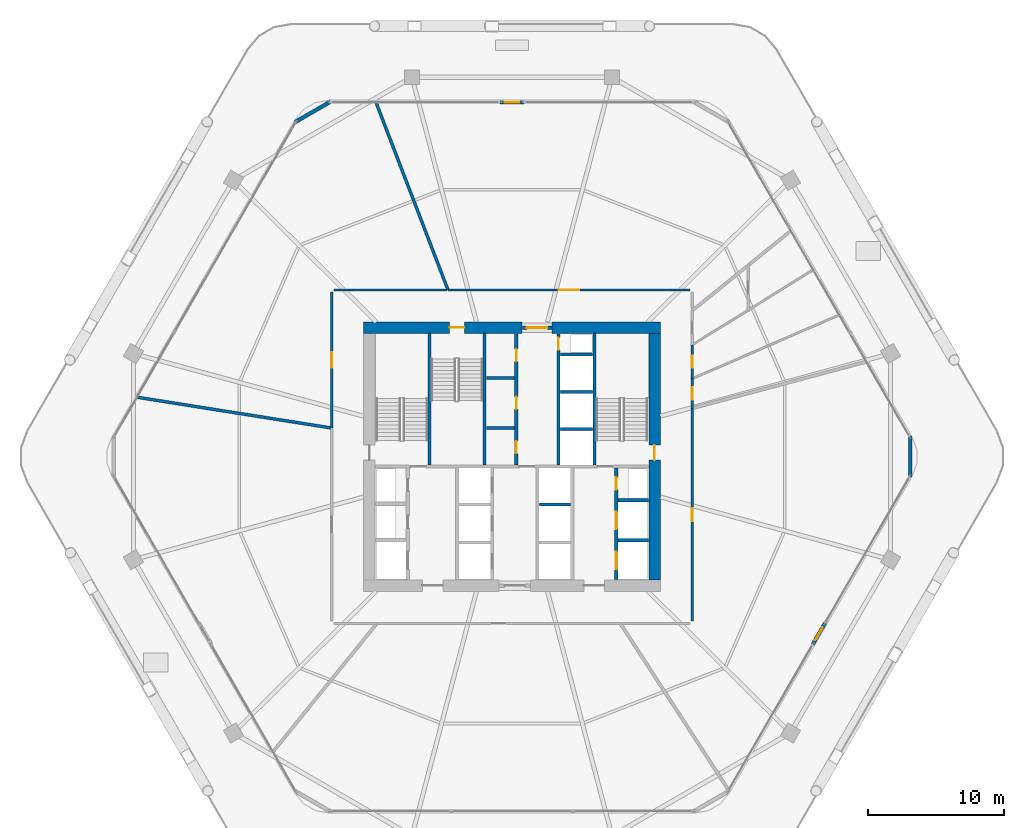
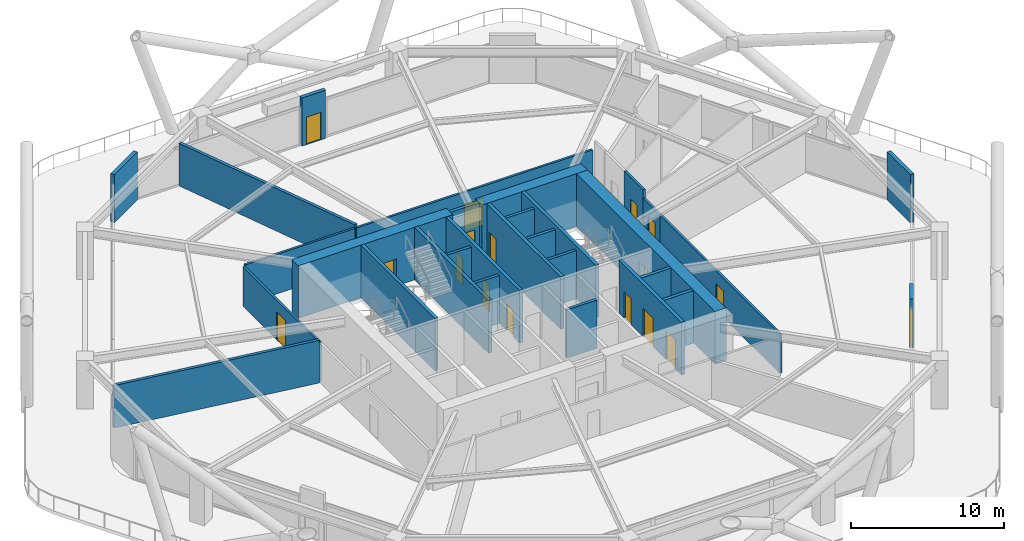
# One storey, part 24 of 28: 30 walls, 17 doors, 17 openings.
"""IFC4 building model written with IfcOpenShell, lengths in metres."""

from ifc_helpers import new_model, si_unit, direction, frame, frame_2d, origin, place, context, subcontext, project, spatial, rectangle, extrude, material, layer, layer_set, type_object, element, fill, save


model = new_model("IFC4")

# Units and contexts
model_context = context("Model", 3, precision=1e-05, world=origin(), true_north=direction((0.0, 1.0)))
body_context = subcontext(model_context, "Body", "Model", "MODEL_VIEW")
ifc_project = project(units=[si_unit("LENGTHUNIT", "METRE"), si_unit("AREAUNIT", "SQUARE_METRE"), si_unit("VOLUMEUNIT", "CUBIC_METRE"), si_unit("PLANEANGLEUNIT", "RADIAN"), si_unit("MASSUNIT", "GRAM", prefix="KILO")], contexts=[model_context])

# Site, building, storey
site_placement = place(None, origin())
site = spatial("IfcSite", under=ifc_project, at=site_placement, CompositionType="ELEMENT")
building_placement = place(site_placement, origin())
building = spatial("IfcBuilding", under=site, at=building_placement, Name="Zuhravey Tower", CompositionType="ELEMENT")
storey_placement = place(building_placement, frame((0.0, 0.0, 83.39990234375)))
storey = spatial("IfcBuildingStorey", under=building, at=storey_placement, Name="L20", CompositionType="ELEMENT", Elevation=83.39990234375)

# Wall
ifc_material_1 = material(Name="Concrete C60/75", Category="concrete")
ifc_layer_1 = layer(ifc_material_1, 0.85009765625)
ifc_layer_set_1 = layer_set([ifc_layer_1], Name="Concrete C60/75")
wall_type_1 = type_object("IfcWallType", Name="Core Shear Wall 850", PredefinedType="SHEAR", material=ifc_layer_set_1)
wall_1_placement = place(storey_placement, frame((46.925048828125, 41.5, 0.0), z_axis=(0.0, 0.0, 1.0), x_axis=(-1.0, 0.0, 0.0)))
element("IfcWall", 1, at=wall_1_placement, inside=storey, type_object=wall_type_1, Name="L20 North-East Core Shear Wall CW85", PredefinedType="SHEAR", context=body_context, shape_type="SweptSolid", body=[
    extrude(rectangle(XDim=7.97509765625, YDim=0.85009765625, at=frame_2d((3.987548828125, 0.0))), origin(), (0.0, 0.0, 1.0), 4.2001953125),
])

# Wall, opening, door
wall_2_placement = place(storey_placement, frame((36.75, 41.5, 0.0), z_axis=(0.0, 0.0, 1.0), x_axis=(-1.0, 0.0, 0.0)))
wall_2 = element("IfcWall", 2, at=wall_2_placement, inside=storey, type_object=wall_type_1, Name="L20 North-West Core Shear Wall CW85", PredefinedType="SHEAR", context=body_context, shape_type="SweptSolid", body=[
    extrude(rectangle(XDim=11.675048828125, YDim=0.85009765625, at=frame_2d((5.83740234375, 0.0))), origin(), (0.0, 0.0, 1.0), 4.2001953125),
])
opening_1_placement = place(wall_2_placement, frame((4.25, 0.0, 0.0)))
opening_1 = element("IfcOpeningElement", 3, at=opening_1_placement, cuts=wall_2, Name="Opening STD1", PredefinedType="OPENING", context=body_context, shape_type="SweptSolid", body=[
    extrude(rectangle(XDim=1.10009765625, YDim=2.14990234375, at=frame_2d((0.550048828125, 1.074951171875))), frame((0.0, 0.43701171875, 0.0), z_axis=(0.0, -1.0, 0.0), x_axis=(1.0, 0.0, 0.0)), (0.0, 0.0, 1.0), 0.8740234375),
])
ifc_material_2 = material(Name="Galvanised fire-rated steel leaf", Category="steel")
door_type_1 = type_object("IfcDoorType", Name="Protected Stair Fire Door 1100x2150", OperationType="NOTDEFINED", PredefinedType="USERDEFINED", material=ifc_material_2)
door_1_placement = place(opening_1_placement, origin())
door_1 = element("IfcDoor", 4, at=door_1_placement, inside=storey, type_object=door_type_1, Name="L20 Stair ST3 Door", ObjectType="EXITDOOR", OperationType="SINGLE_SWING_RIGHT", OverallHeight=2.14990234375, OverallWidth=1.10009765625, PredefinedType="USERDEFINED", context=body_context, shape_type="SweptSolid", body=[
    extrude(rectangle(XDim=1.10009765625, YDim=2.14990234375, at=frame_2d((0.550048828125, 1.074951171875))), frame((0.0, 0.02490234375, 0.0), z_axis=(0.0, -1.0, 0.0), x_axis=(1.0, 0.0, 0.0)), (0.0, 0.0, 1.0), 0.050048828125),
])
fill(opening_1, door_1)

wall_3_placement = place(storey_placement, frame((46.5, 22.925048828125, 0.0), z_axis=(0.0, 0.0, 1.0), x_axis=(0.0, 1.0, 0.0)))
wall_3 = element("IfcWall", 5, at=wall_3_placement, inside=storey, type_object=wall_type_1, Name="L20 East Core Shear Wall CW85", PredefinedType="SHEAR", context=body_context, shape_type="SweptSolid", body=[
    extrude(rectangle(XDim=18.14990234375, YDim=0.85009765625, at=frame_2d((9.074951171875, 0.0))), origin(), (0.0, 0.0, 1.0), 4.2001953125),
])
opening_2_placement = place(wall_3_placement, frame((8.824951171875, 0.0, 0.0)))
opening_2 = element("IfcOpeningElement", 6, at=opening_2_placement, cuts=wall_3, Name="Opening STD1", PredefinedType="OPENING", context=body_context, shape_type="SweptSolid", body=[
    extrude(rectangle(XDim=1.10009765625, YDim=2.14990234375, at=frame_2d((0.550048828125, 1.074951171875))), frame((0.0, 0.43701171875, 0.0), z_axis=(0.0, -1.0, 0.0), x_axis=(1.0, 0.0, 0.0)), (0.0, 0.0, 1.0), 0.8740234375),
])
door_2_placement = place(opening_2_placement, origin())
door_2 = element("IfcDoor", 7, at=door_2_placement, inside=storey, type_object=door_type_1, Name="L20 Stair ST2 Door", ObjectType="EXITDOOR", OperationType="SINGLE_SWING_LEFT", OverallHeight=2.14990234375, OverallWidth=1.10009765625, PredefinedType="USERDEFINED", context=body_context, shape_type="SweptSolid", body=[
    extrude(rectangle(XDim=1.10009765625, YDim=2.14990234375, at=frame_2d((0.550048828125, 1.074951171875))), frame((0.0, 0.02490234375, 0.0), z_axis=(0.0, -1.0, 0.0), x_axis=(1.0, 0.0, 0.0)), (0.0, 0.0, 1.0), 0.050048828125),
])
fill(opening_2, door_2)

ifc_material_3 = material(Name="Gypsum fire-rated stud partition")
ifc_layer_2 = layer(ifc_material_3, 0.159912109375)
ifc_layer_set_2 = layer_set([ifc_layer_2], Name="Gypsum fire-rated stud partition")
wall_type_2 = type_object("IfcWallType", Name="Corridor Fire Partition 160", PredefinedType="PARTITIONING", material=ifc_layer_set_2)
wall_4_placement = place(storey_placement, frame((49.284912109375, 35.559814453125, 0.0), z_axis=(0.0, 0.0, 1.0), x_axis=(0.0, 1.0, 0.0)))
wall_4 = element("IfcWall", 8, at=wall_4_placement, inside=storey, type_object=wall_type_2, Name="L20 IW16 Partition 019", PredefinedType="PARTITIONING", context=body_context, shape_type="SweptSolid", body=[
    extrude(rectangle(XDim=2.18896484375, YDim=0.159912109375, at=frame_2d((1.094482421875, 0.0))), origin(), (0.0, 0.0, 1.0), 3.150146484375),
])
opening_3_placement = place(wall_4_placement, frame((0.64453125, 0.0, 0.0)))
opening_3 = element("IfcOpeningElement", 9, at=opening_3_placement, cuts=wall_4, Name="Opening RSD1", PredefinedType="OPENING", context=body_context, shape_type="SweptSolid", body=[
    extrude(rectangle(XDim=0.89990234375, YDim=2.10009765625, at=frame_2d((0.449951171875, 1.050048828125))), frame((0.0, 0.092041015625, 0.0), z_axis=(0.0, -1.0, 0.0), x_axis=(1.0, 0.0, 0.0)), (0.0, 0.0, 1.0), 0.183837890625),
])
ifc_material_4 = material(Name="Galvanised fire-rated steel access leaf", Category="steel")
door_type_2 = type_object("IfcDoorType", Name="Riser & Shaft Access Fire Door 900x2100", OperationType="NOTDEFINED", PredefinedType="DOOR", material=ifc_material_4)
door_3_placement = place(opening_3_placement, frame((0.89990234375, 0.0, 0.0), z_axis=(0.0, 0.0, 1.0), x_axis=(-1.0, 0.0, 0.0)))
door_3 = element("IfcDoor", 10, at=door_3_placement, inside=storey, type_object=door_type_2, Name="L20 Door 019.1", OperationType="SINGLE_SWING_LEFT", OverallHeight=2.10009765625, OverallWidth=0.89990234375, PredefinedType="DOOR", context=body_context, shape_type="SweptSolid", body=[
    extrude(rectangle(XDim=0.89990234375, YDim=2.10009765625, at=frame_2d((0.449951171875, 1.050048828125))), frame((0.0, 0.02490234375, 0.0), z_axis=(0.0, -1.0, 0.0), x_axis=(1.0, 0.0, 0.0)), (0.0, 0.0, 1.0), 0.050048828125),
])
fill(opening_3, door_3)

wall_5_placement = place(storey_placement, frame((49.284912109375, 37.748779296875, 0.0), z_axis=(0.0, 0.0, 1.0), x_axis=(0.0, 1.0, 0.0)))
wall_5 = element("IfcWall", 11, at=wall_5_placement, inside=storey, type_object=wall_type_2, Name="L20 IW16 Partition 020", PredefinedType="PARTITIONING", context=body_context, shape_type="SweptSolid", body=[
    extrude(rectangle(XDim=2.48828125, YDim=0.159912109375, at=frame_2d((1.244140625, 0.0))), origin(), (0.0, 0.0, 1.0), 3.85009765625),
])
opening_4_placement = place(wall_5_placement, frame((0.794189453125, 0.0, 0.0)))
opening_4 = element("IfcOpeningElement", 12, at=opening_4_placement, cuts=wall_5, Name="Opening RSD1", PredefinedType="OPENING", context=body_context, shape_type="SweptSolid", body=[
    extrude(rectangle(XDim=0.89990234375, YDim=2.10009765625, at=frame_2d((0.449951171875, 1.050048828125))), frame((0.0, 0.092041015625, 0.0), z_axis=(0.0, -1.0, 0.0), x_axis=(1.0, 0.0, 0.0)), (0.0, 0.0, 1.0), 0.183837890625),
])
door_4_placement = place(opening_4_placement, frame((0.89990234375, 0.0, 0.0), z_axis=(0.0, 0.0, 1.0), x_axis=(-1.0, 0.0, 0.0)))
door_4 = element("IfcDoor", 13, at=door_4_placement, inside=storey, type_object=door_type_2, Name="L20 Door 020.1", OperationType="SINGLE_SWING_RIGHT", OverallHeight=2.10009765625, OverallWidth=0.89990234375, PredefinedType="DOOR", context=body_context, shape_type="SweptSolid", body=[
    extrude(rectangle(XDim=0.89990234375, YDim=2.10009765625, at=frame_2d((0.449951171875, 1.050048828125))), frame((0.0, 0.02490234375, 0.0), z_axis=(0.0, -1.0, 0.0), x_axis=(1.0, 0.0, 0.0)), (0.0, 0.0, 1.0), 0.050048828125),
])
fill(opening_4, door_4)

wall_6_placement = place(storey_placement, frame((49.125, 44.284912109375, 0.0), z_axis=(0.0, 0.0, 1.0), x_axis=(-1.0, 0.0, 0.0)))
wall_6 = element("IfcWall", 14, at=wall_6_placement, inside=storey, type_object=wall_type_2, Name="L20 IW16 Partition 023", PredefinedType="PARTITIONING", context=body_context, shape_type="SweptSolid", body=[
    extrude(rectangle(XDim=17.8408203125, YDim=0.159912109375, at=frame_2d((8.92041015625, 0.0))), origin(), (0.0, 0.0, 1.0), 3.150146484375),
])
opening_5_placement = place(wall_6_placement, frame((8.17041015625, 0.0, 0.0)))
opening_5 = element("IfcOpeningElement", 15, at=opening_5_placement, cuts=wall_6, Name="Opening FFD1", PredefinedType="OPENING", context=body_context, shape_type="SweptSolid", body=[
    extrude(rectangle(XDim=1.5, YDim=2.14990234375, at=frame_2d((0.75, 1.074951171875))), frame((0.0, 0.092041015625, 0.0), z_axis=(0.0, -1.0, 0.0), x_axis=(1.0, 0.0, 0.0)), (0.0, 0.0, 1.0), 0.183837890625),
])
door_type_3 = type_object("IfcDoorType", Name="Firefighting Lobby Double Door 1500x2150", OperationType="DOUBLE_DOOR_SINGLE_SWING", PredefinedType="DOOR", material=ifc_material_2)
door_5_placement = place(opening_5_placement, frame((1.5, 0.0, 0.0), z_axis=(0.0, 0.0, 1.0), x_axis=(-1.0, 0.0, 0.0)))
door_5 = element("IfcDoor", 16, at=door_5_placement, inside=storey, type_object=door_type_3, Name="L20 Door 023.1", OperationType="DOUBLE_DOOR_SINGLE_SWING", OverallHeight=2.14990234375, OverallWidth=1.5, PredefinedType="DOOR", context=body_context, shape_type="SweptSolid", body=[
    extrude(rectangle(XDim=1.5, YDim=2.14990234375, at=frame_2d((0.75, 1.074951171875))), frame((0.0, 0.02490234375, 0.0), z_axis=(0.0, -1.0, 0.0), x_axis=(1.0, 0.0, 0.0)), (0.0, 0.0, 1.0), 0.050048828125),
])
fill(opening_5, door_5)

wall_7_placement = place(storey_placement, frame((22.715087890625, 44.125, 0.0), z_axis=(0.0, 0.0, 1.0), x_axis=(0.0, -1.0, 0.0)))
wall_7 = element("IfcWall", 17, at=wall_7_placement, inside=storey, type_object=wall_type_2, Name="L20 IW16 Partition 024", PredefinedType="PARTITIONING", context=body_context, shape_type="SweptSolid", body=[
    extrude(rectangle(XDim=10.02099609375, YDim=0.159912109375, at=frame_2d((5.010498046875, 0.0))), origin(), (0.0, 0.0, 1.0), 3.150146484375),
])
opening_6_placement = place(wall_7_placement, frame((4.435302734375, 0.0, 0.0)))
opening_6 = element("IfcOpeningElement", 18, at=opening_6_placement, cuts=wall_7, Name="Opening CLD1", PredefinedType="OPENING", context=body_context, shape_type="SweptSolid", body=[
    extrude(rectangle(XDim=1.14990234375, YDim=2.199951171875, at=frame_2d((0.574951171875, 1.10009765625))), frame((0.0, 0.092041015625, 0.0), z_axis=(0.0, -1.0, 0.0), x_axis=(1.0, 0.0, 0.0)), (0.0, 0.0, 1.0), 0.183837890625),
])
ifc_material_5 = material(Name="Acoustic timber leaf with vision lite", Category="wood")
door_type_4 = type_object("IfcDoorType", Name="Classroom Acoustic Door 1150x2200", OperationType="NOTDEFINED", PredefinedType="DOOR", material=ifc_material_5)
door_6_placement = place(opening_6_placement, origin())
door_6 = element("IfcDoor", 19, at=door_6_placement, inside=storey, type_object=door_type_4, Name="L20 Door 024.1", OperationType="SINGLE_SWING_LEFT", OverallHeight=2.199951171875, OverallWidth=1.14990234375, PredefinedType="DOOR", context=body_context, shape_type="SweptSolid", body=[
    extrude(rectangle(XDim=1.14990234375, YDim=2.199951171875, at=frame_2d((0.574951171875, 1.10009765625))), frame((0.0, 0.02490234375, 0.0), z_axis=(0.0, -1.0, 0.0), x_axis=(1.0, 0.0, 0.0)), (0.0, 0.0, 1.0), 0.050048828125),
])
fill(opening_6, door_6)

wall_8_placement = place(storey_placement, frame((49.284912109375, 19.875, 0.0), z_axis=(0.0, 0.0, 1.0), x_axis=(0.0, 1.0, 0.0)))
wall_8 = element("IfcWall", 20, at=wall_8_placement, inside=storey, type_object=wall_type_2, Name="L20 IW16 Partition 027", PredefinedType="PARTITIONING", context=body_context, shape_type="SweptSolid", body=[
    extrude(rectangle(XDim=15.684814453125, YDim=0.159912109375, at=frame_2d((7.84228515625, 0.0))), origin(), (0.0, 0.0, 1.0), 3.150146484375),
])
opening_7_placement = place(wall_8_placement, frame((7.367431640625, 0.0, 0.0)))
opening_7 = element("IfcOpeningElement", 21, at=opening_7_placement, cuts=wall_8, Name="Opening IND1", PredefinedType="OPENING", context=body_context, shape_type="SweptSolid", body=[
    extrude(rectangle(XDim=0.949951171875, YDim=2.10009765625, at=frame_2d((0.47509765625, 1.050048828125))), frame((0.0, 0.092041015625, 0.0), z_axis=(0.0, -1.0, 0.0), x_axis=(1.0, 0.0, 0.0)), (0.0, 0.0, 1.0), 0.183837890625),
])
ifc_material_6 = material(Name="Painted engineered timber leaf", Category="wood")
door_type_5 = type_object("IfcDoorType", Name="Internal Room & Bedroom Door 950x2100", OperationType="NOTDEFINED", PredefinedType="DOOR", material=ifc_material_6)
door_7_placement = place(opening_7_placement, frame((0.949951171875, 0.0, 0.0), z_axis=(0.0, 0.0, 1.0), x_axis=(-1.0, 0.0, 0.0)))
door_7 = element("IfcDoor", 22, at=door_7_placement, inside=storey, type_object=door_type_5, Name="L20 Door 027.1", OperationType="SINGLE_SWING_RIGHT", OverallHeight=2.10009765625, OverallWidth=0.949951171875, PredefinedType="DOOR", context=body_context, shape_type="SweptSolid", body=[
    extrude(rectangle(XDim=0.949951171875, YDim=2.10009765625, at=frame_2d((0.47509765625, 1.050048828125))), frame((0.0, 0.02490234375, 0.0), z_axis=(0.0, -1.0, 0.0), x_axis=(1.0, 0.0, 0.0)), (0.0, 0.0, 1.0), 0.050048828125),
])
fill(opening_7, door_7)

# Wall
wall_9_placement = place(storey_placement, frame((31.15771484375, 44.284912109375, 0.0), z_axis=(0.0, 0.0, 1.0), x_axis=(-1.0, 0.0, 0.0)))
element("IfcWall", 23, at=wall_9_placement, inside=storey, type_object=wall_type_2, Name="L20 IW16 Partition 045", PredefinedType="PARTITIONING", context=body_context, shape_type="SweptSolid", body=[
    extrude(rectangle(XDim=8.28271484375, YDim=0.159912109375, at=frame_2d((4.141357421875, 0.0))), origin(), (0.0, 0.0, 1.0), 3.150146484375),
])

# Wall, opening, door
ifc_material_7 = material(Name="Precast concrete C40/50", Category="concrete")
ifc_layer_3 = layer(ifc_material_7, 0.280029296875)
ifc_layer_set_3 = layer_set([ifc_layer_3], Name="Precast concrete C40/50")
wall_type_3 = type_object("IfcWallType", Name="Crown Architectural Wall 280", PredefinedType="SOLIDWALL", material=ifc_layer_set_3)
wall_10_placement = place(storey_placement, frame((59.05810546875, 19.720947265625, 0.0), z_axis=(0.0, 0.0, 1.0), x_axis=(-0.499982180423, -0.866035691677, 0.0)))
wall_10 = element("IfcWall", 24, at=wall_10_placement, inside=storey, type_object=wall_type_3, Name="L20 Face 6 Facade Pier EW28-1", PredefinedType="SOLIDWALL", context=body_context, shape_type="SweptSolid", body=[
    extrude(rectangle(XDim=1.7900390625, YDim=0.280029296875, at=frame_2d((0.89501953125, 0.0))), origin(), (0.0, 0.0, 1.0), 3.85009765625),
])
opening_8_placement = place(wall_10_placement, frame((0.344970703125, 0.0, 0.0)))
opening_8 = element("IfcOpeningElement", 25, at=opening_8_placement, cuts=wall_10, Name="Opening BLD1", PredefinedType="OPENING", context=body_context, shape_type="SweptSolid", body=[
    extrude(rectangle(XDim=1.10009765625, YDim=2.199951171875, at=frame_2d((0.550048828125, 1.10009765625))), frame((0.0, 0.152099609375, 0.0), z_axis=(0.0, -1.0, 0.0), x_axis=(1.0, 0.0, 0.0)), (0.0, 0.0, 1.0), 0.303955078125),
])
ifc_material_8 = material(Name="Thermally broken aluminium and low-E glass", Category="aluminium")
door_type_6 = type_object("IfcDoorType", Name="Balcony & Sky-Tray Glazed Door 1100x2200", OperationType="NOTDEFINED", PredefinedType="DOOR", material=ifc_material_8)
door_8_placement = place(opening_8_placement, frame((1.10009765625, 0.0, 0.0), z_axis=(0.0, 0.0, 1.0), x_axis=(-1.0, 0.0, 0.0)))
door_8 = element("IfcDoor", 26, at=door_8_placement, inside=storey, type_object=door_type_6, Name="L20 Sky-Playground Terrace Door 6", OperationType="SINGLE_SWING_RIGHT", OverallHeight=2.199951171875, OverallWidth=1.10009765625, PredefinedType="DOOR", context=body_context, shape_type="SweptSolid", body=[
    extrude(rectangle(XDim=1.10009765625, YDim=2.199951171875, at=frame_2d((0.550048828125, 1.10009765625))), frame((0.0, 0.02490234375, 0.0), z_axis=(0.0, -1.0, 0.0), x_axis=(1.0, 0.0, 0.0)), (0.0, 0.0, 1.0), 0.050048828125),
])
fill(opening_8, door_8)

# Wall
wall_11_placement = place(storey_placement, frame((20.028564453125, 56.6484375, 0.0), z_axis=(0.0, 0.0, 1.0), x_axis=(0.866017028182, 0.500014506688, 0.0)))
element("IfcWall", 27, at=wall_11_placement, inside=storey, type_object=wall_type_3, Name="L20 Rounded Corner Closure Wall EW28-08", PredefinedType="SOLIDWALL", context=body_context, shape_type="SweptSolid", body=[
    extrude(rectangle(XDim=3.01513671875, YDim=0.280029296875, at=frame_2d((1.507568359375, 0.0))), origin(), (0.0, 0.0, 1.0), 3.85009765625),
])

# Wall, opening, door
wall_12_placement = place(storey_placement, frame((35.10498046875, 58.1083984375, 0.0), z_axis=(0.0, 0.0, 1.0), x_axis=(1.0, 0.0, 0.0)))
wall_12 = element("IfcWall", 28, at=wall_12_placement, inside=storey, type_object=wall_type_3, Name="L20 Face 2 Facade Pier EW28-1", PredefinedType="SOLIDWALL", context=body_context, shape_type="SweptSolid", body=[
    extrude(rectangle(XDim=1.7900390625, YDim=0.280029296875, at=frame_2d((0.89501953125, 0.0))), origin(), (0.0, 0.0, 1.0), 3.85009765625),
])
opening_9_placement = place(wall_12_placement, frame((0.344970703125, 0.0, 0.0)))
opening_9 = element("IfcOpeningElement", 29, at=opening_9_placement, cuts=wall_12, Name="Opening BLD1", PredefinedType="OPENING", context=body_context, shape_type="SweptSolid", body=[
    extrude(rectangle(XDim=1.10009765625, YDim=2.199951171875, at=frame_2d((0.550048828125, 1.10009765625))), frame((0.0, 0.152099609375, 0.0), z_axis=(0.0, -1.0, 0.0), x_axis=(1.0, 0.0, 0.0)), (0.0, 0.0, 1.0), 0.303955078125),
])
door_9_placement = place(opening_9_placement, frame((1.10009765625, 0.0, 0.0), z_axis=(0.0, 0.0, 1.0), x_axis=(-1.0, 0.0, 0.0)))
door_9 = element("IfcDoor", 30, at=door_9_placement, inside=storey, type_object=door_type_6, Name="L20 Sky-Playground Terrace Door 2", OperationType="SINGLE_SWING_RIGHT", OverallHeight=2.199951171875, OverallWidth=1.10009765625, PredefinedType="DOOR", context=body_context, shape_type="SweptSolid", body=[
    extrude(rectangle(XDim=1.10009765625, YDim=2.199951171875, at=frame_2d((0.550048828125, 1.10009765625))), frame((0.0, 0.02490234375, 0.0), z_axis=(0.0, -1.0, 0.0), x_axis=(1.0, 0.0, 0.0)), (0.0, 0.0, 1.0), 0.050048828125),
])
fill(opening_9, door_9)

# Wall
wall_13_placement = place(storey_placement, frame((65.331787109375, 33.507568359375, 0.0), z_axis=(0.0, 0.0, 1.0), x_axis=(0.0, -1.0, 0.0)))
element("IfcWall", 31, at=wall_13_placement, inside=storey, type_object=wall_type_3, Name="L20 Rounded Corner Closure Wall EW28-12", PredefinedType="SOLIDWALL", context=body_context, shape_type="SweptSolid", body=[
    extrude(rectangle(XDim=3.01513671875, YDim=0.280029296875, at=frame_2d((1.507568359375, 0.0))), origin(), (0.0, 0.0, 1.0), 3.85009765625),
])

# Wall, opening, door
ifc_material_9 = material(Name="Concrete C50/60", Category="concrete")
ifc_layer_4 = layer(ifc_material_9, 0.25)
ifc_layer_set_4 = layer_set([ifc_layer_4], Name="Concrete C50/60")
wall_type_4 = type_object("IfcWallType", Name="Firefighting Shaft & Stair Wall 250", PredefinedType="SOLIDWALL", material=ifc_layer_set_4)
wall_14_placement = place(storey_placement, frame((36.760009765625, 41.5, 0.0), z_axis=(0.0, 0.0, 1.0), x_axis=(1.0, 0.0, 0.0)))
wall_14 = element("IfcWall", 32, at=wall_14_placement, inside=storey, type_object=wall_type_4, Name="L20 FW25 Shaft Wall 002", PredefinedType="SOLIDWALL", context=body_context, shape_type="SweptSolid", body=[
    extrude(rectangle(XDim=2.179931640625, YDim=0.25, at=frame_2d((1.08984375, 0.0))), origin(), (0.0, 0.0, 1.0), 4.2001953125),
])
opening_10_placement = place(wall_14_placement, frame((0.340087890625, 0.0, 0.0)))
opening_10 = element("IfcOpeningElement", 33, at=opening_10_placement, cuts=wall_14, Name="Opening FFD1", PredefinedType="OPENING", context=body_context, shape_type="SweptSolid", body=[
    extrude(rectangle(XDim=1.5, YDim=2.14990234375, at=frame_2d((0.75, 1.074951171875))), frame((0.0, 0.136962890625, 0.0), z_axis=(0.0, -1.0, 0.0), x_axis=(1.0, 0.0, 0.0)), (0.0, 0.0, 1.0), 0.27392578125),
])
door_10_placement = place(opening_10_placement, origin())
door_10 = element("IfcDoor", 34, at=door_10_placement, inside=storey, type_object=door_type_3, Name="L20 North Lift Lobby Exit Door", OperationType="DOUBLE_DOOR_SINGLE_SWING", OverallHeight=2.14990234375, OverallWidth=1.5, PredefinedType="DOOR", context=body_context, shape_type="SweptSolid", body=[
    extrude(rectangle(XDim=1.5, YDim=2.14990234375, at=frame_2d((0.75, 1.074951171875))), frame((0.0, 0.02490234375, 0.0), z_axis=(0.0, -1.0, 0.0), x_axis=(1.0, 0.0, 0.0)), (0.0, 0.0, 1.0), 0.050048828125),
])
fill(opening_10, door_10)

# Walls
for number, where, z_axis, x_axis, name in (
    (35, (29.925048828125, 31.39990234375, 0.0), (0.0, 0.0, 1.0), (0.0, 1.0, 0.0), "L20 FW25 Shaft Wall 004"),
    (36, (33.97509765625, 31.39990234375, 0.0), (0.0, 0.0, 1.0), (0.0, 1.0, 0.0), "L20 FW25 Shaft Wall 005"),
    (37, (42.074951171875, 31.39990234375, 0.0), (0.0, 0.0, 1.0), (0.0, 1.0, 0.0), "L20 FW25 Shaft Wall 006"),
):
    element("IfcWall", number, at=place(storey_placement, frame(where, z_axis=z_axis, x_axis=x_axis)), inside=storey, type_object=wall_type_4, Name=name, PredefinedType="SOLIDWALL", context=body_context, shape_type="SweptSolid", body=[
        extrude(rectangle(XDim=9.7001953125, YDim=0.25, at=frame_2d((4.85009765625, 0.0))), origin(), (0.0, 0.0, 1.0), 4.2001953125),
    ])

# Wall, openings, doors
wall_15_placement = place(storey_placement, frame((36.324951171875, 31.39990234375, 0.0), z_axis=(0.0, 0.0, 1.0), x_axis=(0.0, 1.0, 0.0)))
wall_15 = element("IfcWall", 38, at=wall_15_placement, inside=storey, type_object=wall_type_4, Name="L20 FW25 Shaft Wall 007", PredefinedType="SOLIDWALL", context=body_context, shape_type="SweptSolid", body=[
    extrude(rectangle(XDim=9.650146484375, YDim=0.25, at=frame_2d((4.8251953125, 0.0))), origin(), (0.0, 0.0, 1.0), 4.2001953125),
])
opening_11_placement = place(wall_15_placement, frame((0.840087890625, 0.0, 0.0)))
opening_11 = element("IfcOpeningElement", 39, at=opening_11_placement, cuts=wall_15, Name="Opening RSD1", PredefinedType="OPENING", context=body_context, shape_type="SweptSolid", body=[
    extrude(rectangle(XDim=0.89990234375, YDim=2.10009765625, at=frame_2d((0.449951171875, 1.050048828125))), frame((0.0, 0.136962890625, 0.0), z_axis=(0.0, -1.0, 0.0), x_axis=(1.0, 0.0, 0.0)), (0.0, 0.0, 1.0), 0.27392578125),
])
opening_12_placement = place(wall_15_placement, frame((4.10009765625, 0.0, 0.0)))
opening_12 = element("IfcOpeningElement", 40, at=opening_12_placement, cuts=wall_15, Name="Opening RSD1", PredefinedType="OPENING", context=body_context, shape_type="SweptSolid", body=[
    extrude(rectangle(XDim=0.89990234375, YDim=2.10009765625, at=frame_2d((0.449951171875, 1.050048828125))), frame((0.0, 0.136962890625, 0.0), z_axis=(0.0, -1.0, 0.0), x_axis=(1.0, 0.0, 0.0)), (0.0, 0.0, 1.0), 0.27392578125),
])
opening_13_placement = place(wall_15_placement, frame((7.610107421875, 0.0, 0.0)))
opening_13 = element("IfcOpeningElement", 41, at=opening_13_placement, cuts=wall_15, Name="Opening RSD1", PredefinedType="OPENING", context=body_context, shape_type="SweptSolid", body=[
    extrude(rectangle(XDim=0.89990234375, YDim=2.10009765625, at=frame_2d((0.449951171875, 1.050048828125))), frame((0.0, 0.136962890625, 0.0), z_axis=(0.0, -1.0, 0.0), x_axis=(1.0, 0.0, 0.0)), (0.0, 0.0, 1.0), 0.27392578125),
])
door_11_placement = place(opening_11_placement, origin())
door_11 = element("IfcDoor", 42, at=door_11_placement, inside=storey, type_object=door_type_2, Name="L20 Core Staff WC Door", OperationType="SINGLE_SWING_RIGHT", OverallHeight=2.10009765625, OverallWidth=0.89990234375, PredefinedType="DOOR", context=body_context, shape_type="SweptSolid", body=[
    extrude(rectangle(XDim=0.89990234375, YDim=2.10009765625, at=frame_2d((0.449951171875, 1.050048828125))), frame((0.0, 0.02490234375, 0.0), z_axis=(0.0, -1.0, 0.0), x_axis=(1.0, 0.0, 0.0)), (0.0, 0.0, 1.0), 0.050048828125),
])
fill(opening_11, door_11)
door_12_placement = place(opening_12_placement, origin())
door_12 = element("IfcDoor", 43, at=door_12_placement, inside=storey, type_object=door_type_2, Name="L20 IT and Comms Room Door", OperationType="SINGLE_SWING_LEFT", OverallHeight=2.10009765625, OverallWidth=0.89990234375, PredefinedType="DOOR", context=body_context, shape_type="SweptSolid", body=[
    extrude(rectangle(XDim=0.89990234375, YDim=2.10009765625, at=frame_2d((0.449951171875, 1.050048828125))), frame((0.0, 0.02490234375, 0.0), z_axis=(0.0, -1.0, 0.0), x_axis=(1.0, 0.0, 0.0)), (0.0, 0.0, 1.0), 0.050048828125),
])
fill(opening_12, door_12)
door_13_placement = place(opening_13_placement, origin())
door_13 = element("IfcDoor", 44, at=door_13_placement, inside=storey, type_object=door_type_2, Name="L20 Janitor Linen Store Door", OperationType="SINGLE_SWING_RIGHT", OverallHeight=2.10009765625, OverallWidth=0.89990234375, PredefinedType="DOOR", context=body_context, shape_type="SweptSolid", body=[
    extrude(rectangle(XDim=0.89990234375, YDim=2.10009765625, at=frame_2d((0.449951171875, 1.050048828125))), frame((0.0, 0.02490234375, 0.0), z_axis=(0.0, -1.0, 0.0), x_axis=(1.0, 0.0, 0.0)), (0.0, 0.0, 1.0), 0.050048828125),
])
fill(opening_13, door_13)

# Wall, opening, door
wall_16_placement = place(storey_placement, frame((39.425048828125, 31.39990234375, 0.0), z_axis=(0.0, 0.0, 1.0), x_axis=(0.0, 1.0, 0.0)))
wall_16 = element("IfcWall", 45, at=wall_16_placement, inside=storey, type_object=wall_type_4, Name="L20 FW25 Shaft Wall 008", PredefinedType="SOLIDWALL", context=body_context, shape_type="SweptSolid", body=[
    extrude(rectangle(XDim=9.650146484375, YDim=0.25, at=frame_2d((4.8251953125, 0.0))), origin(), (0.0, 0.0, 1.0), 4.2001953125),
])
opening_14_placement = place(wall_16_placement, frame((8.469970703125, 0.0, 0.0)))
opening_14 = element("IfcOpeningElement", 46, at=opening_14_placement, cuts=wall_16, Name="Opening RSD1", PredefinedType="OPENING", context=body_context, shape_type="SweptSolid", body=[
    extrude(rectangle(XDim=0.89990234375, YDim=2.10009765625, at=frame_2d((0.449951171875, 1.050048828125))), frame((0.0, 0.136962890625, 0.0), z_axis=(0.0, -1.0, 0.0), x_axis=(1.0, 0.0, 0.0)), (0.0, 0.0, 1.0), 0.27392578125),
])
door_14_placement = place(opening_14_placement, origin())
door_14 = element("IfcDoor", 47, at=door_14_placement, inside=storey, type_object=door_type_2, Name="L20 North Riser Door", OperationType="SINGLE_SWING_LEFT", OverallHeight=2.10009765625, OverallWidth=0.89990234375, PredefinedType="DOOR", context=body_context, shape_type="SweptSolid", body=[
    extrude(rectangle(XDim=0.89990234375, YDim=2.10009765625, at=frame_2d((0.449951171875, 1.050048828125))), frame((0.0, 0.02490234375, 0.0), z_axis=(0.0, -1.0, 0.0), x_axis=(1.0, 0.0, 0.0)), (0.0, 0.0, 1.0), 0.050048828125),
])
fill(opening_14, door_14)

# Walls
for number, where, z_axis, x_axis, name in (
    (48, (43.800048828125, 25.824951171875, 0.0), (0.0, 0.0, 1.0), (1.0, 0.0, 0.0), "L20 FW25 Shaft Wall 016"),
    (49, (43.800048828125, 28.77490234375, 0.0), (0.0, 0.0, 1.0), (1.0, 0.0, 0.0), "L20 FW25 Shaft Wall 017"),
):
    element("IfcWall", number, at=place(storey_placement, frame(where, z_axis=z_axis, x_axis=x_axis)), inside=storey, type_object=wall_type_4, Name=name, PredefinedType="SOLIDWALL", context=body_context, shape_type="SweptSolid", body=[
        extrude(rectangle(XDim=2.25, YDim=0.25, at=frame_2d((1.125, 0.0))), origin(), (0.0, 0.0, 1.0), 4.2001953125),
    ])

# Wall, openings, doors
wall_17_placement = place(storey_placement, frame((43.675048828125, 22.949951171875, 0.0), z_axis=(0.0, 0.0, 1.0), x_axis=(0.0, 1.0, 0.0)))
wall_17 = element("IfcWall", 50, at=wall_17_placement, inside=storey, type_object=wall_type_4, Name="L20 FW25 Shaft Wall 018", PredefinedType="SOLIDWALL", context=body_context, shape_type="SweptSolid", body=[
    extrude(rectangle(XDim=8.199951171875, YDim=0.25, at=frame_2d((4.10009765625, 0.0))), origin(), (0.0, 0.0, 1.0), 4.2001953125),
])
opening_15_placement = place(wall_17_placement, frame((0.75, 0.0, 0.0)))
opening_15 = element("IfcOpeningElement", 51, at=opening_15_placement, cuts=wall_17, Name="Opening LD2", PredefinedType="OPENING", context=body_context, shape_type="SweptSolid", body=[
    extrude(rectangle(XDim=1.300048828125, YDim=2.300048828125, at=frame_2d((0.64990234375, 1.14990234375))), frame((0.0, 0.136962890625, 0.0), z_axis=(0.0, -1.0, 0.0), x_axis=(1.0, 0.0, 0.0)), (0.0, 0.0, 1.0), 0.27392578125),
])
opening_16_placement = place(wall_17_placement, frame((3.699951171875, 0.0, 0.0)))
opening_16 = element("IfcOpeningElement", 52, at=opening_16_placement, cuts=wall_17, Name="Opening LD2", PredefinedType="OPENING", context=body_context, shape_type="SweptSolid", body=[
    extrude(rectangle(XDim=1.300048828125, YDim=2.300048828125, at=frame_2d((0.64990234375, 1.14990234375))), frame((0.0, 0.136962890625, 0.0), z_axis=(0.0, -1.0, 0.0), x_axis=(1.0, 0.0, 0.0)), (0.0, 0.0, 1.0), 0.27392578125),
])
opening_17_placement = place(wall_17_placement, frame((6.6201171875, 0.0, 0.0)))
opening_17 = element("IfcOpeningElement", 53, at=opening_17_placement, cuts=wall_17, Name="Opening RSD1", PredefinedType="OPENING", context=body_context, shape_type="SweptSolid", body=[
    extrude(rectangle(XDim=0.89990234375, YDim=2.10009765625, at=frame_2d((0.449951171875, 1.050048828125))), frame((0.0, 0.136962890625, 0.0), z_axis=(0.0, -1.0, 0.0), x_axis=(1.0, 0.0, 0.0)), (0.0, 0.0, 1.0), 0.27392578125),
])
ifc_material_10 = material(Name="Brushed stainless steel", Category="steel")
door_type_7 = type_object("IfcDoorType", Name="Freight & Stretcher Lift Sliding Door 1300x2300", OperationType="DOUBLE_DOOR_SLIDING", PredefinedType="DOOR", material=ifc_material_10)
door_15_placement = place(opening_15_placement, origin())
door_15 = element("IfcDoor", 54, at=door_15_placement, inside=storey, type_object=door_type_7, Name="L20 Lift FF2 Landing Door", OperationType="DOUBLE_DOOR_SLIDING", OverallHeight=2.300048828125, OverallWidth=1.300048828125, PredefinedType="DOOR", context=body_context, shape_type="SweptSolid", body=[
    extrude(rectangle(XDim=1.300048828125, YDim=2.300048828125, at=frame_2d((0.64990234375, 1.14990234375))), frame((0.0, 0.02490234375, 0.0), z_axis=(0.0, -1.0, 0.0), x_axis=(1.0, 0.0, 0.0)), (0.0, 0.0, 1.0), 0.050048828125),
])
fill(opening_15, door_15)
door_16_placement = place(opening_16_placement, origin())
door_16 = element("IfcDoor", 55, at=door_16_placement, inside=storey, type_object=door_type_7, Name="L20 Lift SV1 Landing Door", OperationType="DOUBLE_DOOR_SLIDING", OverallHeight=2.300048828125, OverallWidth=1.300048828125, PredefinedType="DOOR", context=body_context, shape_type="SweptSolid", body=[
    extrude(rectangle(XDim=1.300048828125, YDim=2.300048828125, at=frame_2d((0.64990234375, 1.14990234375))), frame((0.0, 0.02490234375, 0.0), z_axis=(0.0, -1.0, 0.0), x_axis=(1.0, 0.0, 0.0)), (0.0, 0.0, 1.0), 0.050048828125),
])
fill(opening_16, door_16)
door_17_placement = place(opening_17_placement, origin())
door_17 = element("IfcDoor", 56, at=door_17_placement, inside=storey, type_object=door_type_2, Name="L20 Plumbing Riser Door", OperationType="SINGLE_SWING_RIGHT", OverallHeight=2.10009765625, OverallWidth=0.89990234375, PredefinedType="DOOR", context=body_context, shape_type="SweptSolid", body=[
    extrude(rectangle(XDim=0.89990234375, YDim=2.10009765625, at=frame_2d((0.449951171875, 1.050048828125))), frame((0.0, 0.02490234375, 0.0), z_axis=(0.0, -1.0, 0.0), x_axis=(1.0, 0.0, 0.0)), (0.0, 0.0, 1.0), 0.050048828125),
])
fill(opening_17, door_17)

# Walls
ifc_material_11 = material(Name="Gypsum acoustic stud assembly")
ifc_layer_5 = layer(ifc_material_11, 0.219970703125)
ifc_layer_set_5 = layer_set([ifc_layer_5], Name="Gypsum acoustic stud assembly")
wall_type_5 = type_object("IfcWallType", Name="School Acoustic Compartment Wall 220", PredefinedType="PARTITIONING", material=ifc_layer_set_5)
for number, where, z_axis, x_axis, name in (
    (57, (34.10791015625, 34.10009765625, 0.0), (0.0, 0.0, 1.0), (1.0, 0.0, 0.0), "L20 IW22 Partition 028"),
    (58, (34.10791015625, 37.800048828125, 0.0), (0.0, 0.0, 1.0), (1.0, 0.0, 0.0), "L20 IW22 Partition 029"),
):
    element("IfcWall", number, at=place(storey_placement, frame(where, z_axis=z_axis, x_axis=x_axis)), inside=storey, type_object=wall_type_5, Name=name, PredefinedType="PARTITIONING", context=body_context, shape_type="SweptSolid", body=[
        extrude(rectangle(XDim=2.083984375, YDim=0.219970703125, at=frame_2d((1.0419921875, 0.0))), origin(), (0.0, 0.0, 1.0), 3.85009765625),
    ])
for number, where, z_axis, x_axis, name in (
    (59, (39.55810546875, 34.02490234375, 0.0), (0.0, 0.0, 1.0), (1.0, 0.0, 0.0), "L20 IW22 Partition 030"),
    (60, (39.55810546875, 36.77490234375, 0.0), (0.0, 0.0, 1.0), (1.0, 0.0, 0.0), "L20 IW22 Partition 031"),
    (61, (39.55810546875, 39.52490234375, 0.0), (0.0, 0.0, 1.0), (1.0, 0.0, 0.0), "L20 IW22 Partition 032"),
):
    element("IfcWall", number, at=place(storey_placement, frame(where, z_axis=z_axis, x_axis=x_axis)), inside=storey, type_object=wall_type_5, Name=name, PredefinedType="PARTITIONING", context=body_context, shape_type="SweptSolid", body=[
        extrude(rectangle(XDim=2.3837890625, YDim=0.219970703125, at=frame_2d((1.19189453125, 0.0))), origin(), (0.0, 0.0, 1.0), 3.85009765625),
    ])
wall_18_placement = place(storey_placement, frame((38.008056640625, 28.47509765625, 0.0), z_axis=(0.0, 0.0, 1.0), x_axis=(1.0, 0.0, 0.0)))
element("IfcWall", 62, at=wall_18_placement, inside=storey, type_object=wall_type_5, Name="L20 IW22 Partition 036", PredefinedType="PARTITIONING", context=body_context, shape_type="SweptSolid", body=[
    extrude(rectangle(XDim=2.283935546875, YDim=0.219970703125, at=frame_2d((1.14208984375, 0.0))), origin(), (0.0, 0.0, 1.0), 3.85009765625),
])
wall_19_placement = place(storey_placement, frame((31.2841796875, 44.28515625, 0.0), z_axis=(0.0, 0.0, 1.0), x_axis=(-0.358376835574, 0.933577015422, 0.0)))
element("IfcWall", 63, at=wall_19_placement, inside=storey, type_object=wall_type_5, Name="L20 IW22 Partition 044", PredefinedType="PARTITIONING", context=body_context, shape_type="SweptSolid", body=[
    extrude(rectangle(XDim=14.806640625, YDim=0.219970703125, at=frame_2d((7.4033203125, 0.0))), origin(), (0.0, 0.0, 1.0), 3.400146484375),
])
wall_20_placement = place(storey_placement, frame((22.626953125, 34.1181640625, 0.0), z_axis=(0.0, 0.0, 1.0), x_axis=(-0.987689994957, 0.156424019454, 0.0)))
element("IfcWall", 64, at=wall_20_placement, inside=storey, type_object=wall_type_5, Name="L20 IW22 Partition 046", PredefinedType="PARTITIONING", context=body_context, shape_type="SweptSolid", body=[
    extrude(rectangle(XDim=14.426025390625, YDim=0.219970703125, at=frame_2d((7.212890625, 0.0))), origin(), (0.0, 0.0, 1.0), 3.400146484375),
])

save(model, "model.ifc")
